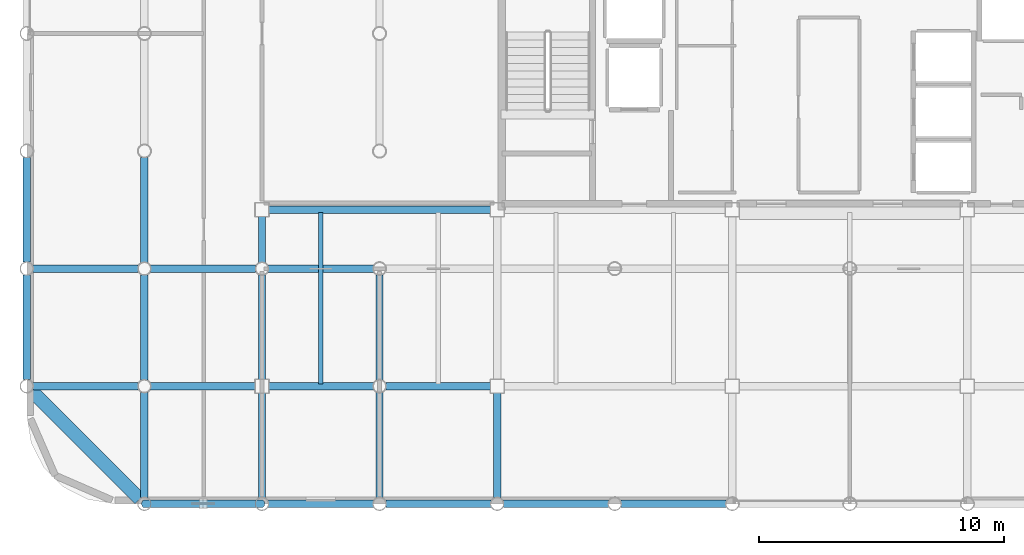
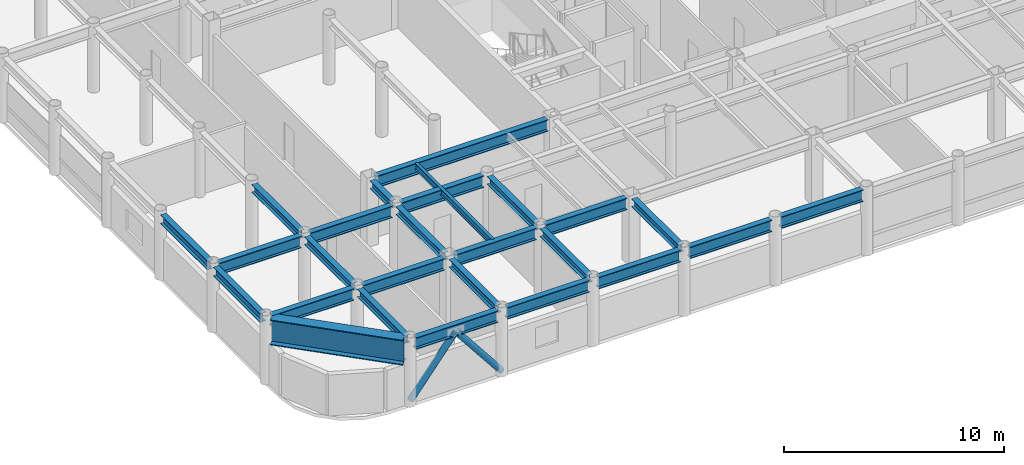
# One storey, part 3 of 21: 26 beams, 2 members.
"""IFC4 building model written with IfcOpenShell, lengths in metres."""

import ifcopenshell
import ifcopenshell.guid

model = None  # the IFC model being written
_history = None  # IfcOwnerHistory: only IFC2X3 demands one
_inside = {}  # id of a spatial element -> (the spatial element, [elements in it])
_under = {}  # id of a project, library or spatial element -> (it, [spatial elements below it])
_declared = {}  # id of a project -> (the project, [libraries it declares])
_typed = {}  # id of a type object -> (the type object, [elements of that type])
_made_of = {}  # id of a material, layer set ... -> (it, [elements and type objects made of it])


def new_model(schema):
    """Start an empty IFC model of exactly this schema.

    Asked for "IFC4X3", IfcOpenShell would pick the latest addendum, in which some entities
    have other attributes; the version numbers below select the first issue.
    IFC2X3 requires an IfcOwnerHistory on every rooted entity: one is made here for all.
    """
    global model, _history
    if schema == "IFC4X3":
        model = ifcopenshell.file(schema_version=(4, 3, 0, 0))
    else:
        model = ifcopenshell.file(schema=schema)
    _inside.clear()
    _under.clear()
    _declared.clear()
    _typed.clear()
    _made_of.clear()
    _history = None
    if model.schema == "IFC2X3":
        org = make("IfcOrganization", Name="unknown")
        user = make(
            "IfcPersonAndOrganization",
            ThePerson=make("IfcPerson", FamilyName="unknown"),
            TheOrganization=org,
        )
        app = make(
            "IfcApplication",
            ApplicationDeveloper=org,
            Version="unknown",
            ApplicationFullName="unknown",
            ApplicationIdentifier="unknown",
        )
        _history = make(
            "IfcOwnerHistory",
            OwningUser=user,
            OwningApplication=app,
            ChangeAction="ADDED",
            CreationDate=0,
        )
    return model


def make(cls, **values):
    """One entity of the class cls with the attributes given. An attribute that is None is left unset."""
    return model.create_entity(
        cls, **{name: value for name, value in values.items() if value is not None}
    )


def rooted(cls, **values):
    """An entity with a GlobalId (a new one), such as an element, a storey or a relation."""
    return make(cls, GlobalId=ifcopenshell.guid.new(), OwnerHistory=_history, **values)


def si_unit(unit_type, name, prefix=None):
    """IfcSIUnit, for example si_unit("LENGTHUNIT", "METRE", prefix="MILLI")."""
    return make("IfcSIUnit", UnitType=unit_type, Prefix=prefix, Name=name)


def assignment(units):
    """IfcUnitAssignment: the units of a project."""
    return None if units is None else make("IfcUnitAssignment", Units=units)


def point(xyz):
    """IfcCartesianPoint."""
    return None if xyz is None else make("IfcCartesianPoint", Coordinates=xyz)


def direction(xyz):
    """IfcDirection."""
    return None if xyz is None else make("IfcDirection", DirectionRatios=xyz)


def frame(location, z_axis=None, x_axis=None):
    """IfcAxis2Placement3D, a coordinate frame: its origin and axes. An axis left out is left unset."""
    return make(
        "IfcAxis2Placement3D",
        Location=point(location),
        Axis=direction(z_axis),
        RefDirection=direction(x_axis),
    )


def frame_2d(location, x_axis=None):
    """IfcAxis2Placement2D, a coordinate frame in the plane: its origin and x axis."""
    return make(
        "IfcAxis2Placement2D", Location=point(location), RefDirection=direction(x_axis)
    )


def origin():
    """The frame at (0, 0, 0) with its axes left unset."""
    return frame((0.0, 0.0, 0.0))


def origin_2d():
    """The frame at (0, 0) in the plane with its x axis left unset."""
    return frame_2d((0.0, 0.0))


def place(relative_to, where):
    """IfcLocalPlacement: puts the frame where relative to a parent placement (None: the world)."""
    return make(
        "IfcLocalPlacement", PlacementRelTo=relative_to, RelativePlacement=where
    )


def context(
    kind, dimensions, precision=None, world=None, true_north=None, identifier=None
):
    """IfcGeometricRepresentationContext, for example the 3D "Model" context."""
    return make(
        "IfcGeometricRepresentationContext",
        ContextIdentifier=identifier,
        ContextType=kind,
        CoordinateSpaceDimension=dimensions,
        Precision=precision,
        WorldCoordinateSystem=world,
        TrueNorth=true_north,
    )


def subcontext(parent, identifier, kind, view, scale=None):
    """IfcGeometricRepresentationSubContext, for example "Body" below "Model"."""
    return make(
        "IfcGeometricRepresentationSubContext",
        ContextIdentifier=identifier,
        ContextType=kind,
        ParentContext=parent,
        TargetScale=scale,
        TargetView=view,
    )


def project(units=None, contexts=None):
    """IfcProject with its units and contexts."""
    return rooted(
        "IfcProject",
        Name="project",
        RepresentationContexts=contexts,
        UnitsInContext=assignment(units),
    )


def spatial(cls, under=None, at=None, **own):
    """A site, building, storey or space (cls), placed at a placement, below another one or the project."""
    s = rooted(cls, ObjectPlacement=at, **own)
    if under is not None:
        _under.setdefault(under.id(), (under, []))[1].append(s)
    return s


def profile(cls, at=None, kind="AREA", **sizes):
    """A parametric profile (cls). Its sizes go by their IFC names, for example OverallWidth=200.0."""
    return make(cls, ProfileType=kind, Position=at, **sizes)


def hollow_circle(**sizes):
    """IfcCircleHollowProfileDef."""
    return profile("IfcCircleHollowProfileDef", **sizes)


def i_section(**sizes):
    """IfcIShapeProfileDef."""
    return profile("IfcIShapeProfileDef", **sizes)


def extrude(swept, where, along, depth):
    """IfcExtrudedAreaSolid: the profile swept, set in the frame where, extruded along a direction by depth."""
    return make(
        "IfcExtrudedAreaSolid",
        SweptArea=swept,
        Position=where,
        ExtrudedDirection=direction(along),
        Depth=depth,
    )


def shape(context_of_items, identifier, shape_type, items):
    """IfcShapeRepresentation: the items that make up one representation, for example the "Body"."""
    return make(
        "IfcShapeRepresentation",
        ContextOfItems=context_of_items,
        RepresentationIdentifier=identifier,
        RepresentationType=shape_type,
        Items=items,
    )


def material(Name=None, Category=None):
    """IfcMaterial."""
    return make("IfcMaterial", Name=Name, Category=Category)


def material_profile(
    of_material, cross_section, Name=None, Category=None, Priority=None
):
    """IfcMaterialProfile: a cross section and its material."""
    return make(
        "IfcMaterialProfile",
        Name=Name,
        Material=of_material,
        Profile=cross_section,
        Priority=Priority,
        Category=Category,
    )


def profile_set(profiles, Name=None, composite=None):
    """IfcMaterialProfileSet."""
    return make(
        "IfcMaterialProfileSet",
        Name=Name,
        MaterialProfiles=profiles,
        CompositeProfile=composite,
    )


def made_of(thing, what):
    """Note that an element or type object is made of a material, layer set ...; save() writes the relation."""
    if what is not None:
        _made_of.setdefault(what.id(), (what, []))[1].append(thing)
    return thing


def type_object(cls, material=None, **own):
    """A type object (cls), such as IfcWallType, which elements share."""
    return made_of(rooted(cls, **own), material)


def element(
    cls,
    number,
    at=None,
    inside=None,
    cuts=None,
    type_object=None,
    material=None,
    context=None,
    identifier="Body",
    shape_type=None,
    held_by="IfcProductDefinitionShape",
    body=None,
    shapes=None,
    **own,
):
    """One element of the class cls, such as IfcWall. Its Tag is "e" and its number.

    at: its placement. inside: the storey or other place that contains it. cuts: it is an
    opening in that element (IfcRelVoidsElement). A single representation is given by context,
    identifier, shape_type and body (its items); several are given by shapes. held_by: the class
    of the entity that holds the representations. save() writes the other relations.
    """
    e = rooted(cls, Tag="e%d" % number, ObjectPlacement=at, **own)
    if body is not None:
        shapes = [shape(context, identifier, shape_type, body)]
    if shapes is not None:
        e.Representation = make(held_by, Representations=shapes)
    if inside is not None:
        _inside.setdefault(inside.id(), (inside, []))[1].append(e)
    if cuts is not None:
        rooted(
            "IfcRelVoidsElement", RelatingBuildingElement=cuts, RelatedOpeningElement=e
        )
    if type_object is not None:
        _typed.setdefault(type_object.id(), (type_object, []))[1].append(e)
    return made_of(e, material)


def aggregate(whole, parts):
    """IfcRelAggregates: a whole, such as a stair, and the parts it consists of."""
    return rooted("IfcRelAggregates", RelatingObject=whole, RelatedObjects=parts)


def save(model, path):
    """Write the relations noted so far, then the file.

    IfcRelAggregates (storeys below a building ...), IfcRelContainedInSpatialStructure (elements
    in a storey), IfcRelDefinesByType, IfcRelAssociatesMaterial and IfcRelDeclares: one each for
    every whole, place, type object, material and project.
    """
    for whole, parts in _under.values():
        aggregate(whole, parts)
    for where, things in _inside.values():
        rooted(
            "IfcRelContainedInSpatialStructure",
            RelatedElements=things,
            RelatingStructure=where,
        )
    for kind, things in _typed.values():
        rooted("IfcRelDefinesByType", RelatedObjects=things, RelatingType=kind)
    for what, things in _made_of.values():
        rooted("IfcRelAssociatesMaterial", RelatedObjects=things, RelatingMaterial=what)
    for by, libraries in _declared.values():
        rooted("IfcRelDeclares", RelatingContext=by, RelatedDefinitions=libraries)
    model.write(path)


model = new_model("IFC4")

# Units and contexts
model_context = context("Model", 3, precision=1e-05, world=origin(), true_north=direction((0.0, 1.0)))
body_context = subcontext(model_context, "Body", "Model", "MODEL_VIEW")
ifc_project = project(units=[si_unit("LENGTHUNIT", "METRE"), si_unit("AREAUNIT", "SQUARE_METRE"), si_unit("VOLUMEUNIT", "CUBIC_METRE"), si_unit("PLANEANGLEUNIT", "RADIAN"), si_unit("MASSUNIT", "GRAM", prefix="KILO")], contexts=[model_context])

# Site, building, storey
site_placement = place(None, origin())
site = spatial("IfcSite", under=ifc_project, at=site_placement, CompositionType="ELEMENT")
building_placement = place(site_placement, origin())
building = spatial("IfcBuilding", under=site, at=building_placement, Name="Kallvorn Hotel Tower", CompositionType="ELEMENT")
storey_placement = place(building_placement, frame((0.0, 0.0, 268.5)))
storey = spatial("IfcBuildingStorey", under=building, at=storey_placement, Name="L67", CompositionType="ELEMENT", Elevation=268.5)

# Beams
ifc_material_1 = material(Name="Structural steel S355JR", Category="steel")
ifc_material_profile_1 = material_profile(ifc_material_1, i_section(OverallWidth=0.300048828125, OverallDepth=0.43994140625, WebThickness=0.011474609375, FlangeThickness=0.02099609375, at=origin_2d()), Name="HE 450 A")
ifc_profile_set_1 = profile_set([ifc_material_profile_1], Name="Structural steel S355JR")
beam_type_1 = type_object("IfcBeamType", Name="BM_HE450A", PredefinedType="BEAM", material=ifc_profile_set_1)
for number, where, z_axis, x_axis, name in (
    (1, (-28.800048828125, -18.945556640625, 3.449951171875), (0.0, 1.0, 0.0), (-1.0, 0.0, 0.0), "L68 Primary Y-Girder 73"),
    (2, (-28.800048828125, -14.1455078125, 3.449951171875), (0.0, 1.0, 0.0), (-1.0, 0.0, 0.0), "L68 Primary Y-Girder 74"),
    (3, (-28.800048828125, -9.345458984375, 3.449951171875), (0.0, 1.0, 0.0), (-1.0, 0.0, 0.0), "L68 Primary Y-Girder 75"),
):
    element("IfcBeam", number, at=place(storey_placement, frame(where, z_axis=z_axis, x_axis=x_axis)), inside=storey, type_object=beam_type_1, Name=name, PredefinedType="BEAM", context=body_context, shape_type="SweptSolid", body=[
        extrude(i_section(OverallWidth=0.300048828125, OverallDepth=0.43994140625, WebThickness=0.011474609375, FlangeThickness=0.02099609375, at=origin_2d()), origin(), (0.0, 0.0, 1.0), 4.291015625),
    ])
for number, where, z_axis, x_axis, name in (
    (4, (-24.0, -18.945556640625, 3.449951171875), (0.0, 1.0, 0.0), (-1.0, 0.0, 0.0), "L68 Primary Y-Girder 82"),
    (5, (-24.0, -14.125, 3.449951171875), (0.0, 1.0, 0.0), (-1.0, 0.0, 0.0), "L68 Primary Y-Girder 83"),
):
    element("IfcBeam", number, at=place(storey_placement, frame(where, z_axis=z_axis, x_axis=x_axis)), inside=storey, type_object=beam_type_1, Name=name, PredefinedType="BEAM", context=body_context, shape_type="SweptSolid", body=[
        extrude(i_section(OverallWidth=0.300048828125, OverallDepth=0.43994140625, WebThickness=0.011474609375, FlangeThickness=0.02099609375, at=origin_2d()), origin(), (0.0, 0.0, 1.0), 4.2705078125),
    ])
beam_1_placement = place(storey_placement, frame((-24.0, -9.345458984375, 3.449951171875), z_axis=(0.0, 1.0, 0.0), x_axis=(-1.0, 0.0, 0.0)))
element("IfcBeam", 6, at=beam_1_placement, inside=storey, type_object=beam_type_1, Name="L68 Primary Y-Girder 84", PredefinedType="BEAM", context=body_context, shape_type="SweptSolid", body=[
    extrude(i_section(OverallWidth=0.300048828125, OverallDepth=0.43994140625, WebThickness=0.011474609375, FlangeThickness=0.02099609375, at=origin_2d()), origin(), (0.0, 0.0, 1.0), 1.870361328125),
])
for number, where, z_axis, x_axis, name in (
    (7, (-19.199951171875, -18.945556640625, 3.449951171875), (0.0, 1.0, 0.0), (-1.0, 0.0, 0.0), "L68 Primary Y-Girder 89"),
    (8, (-19.199951171875, -14.1455078125, 3.449951171875), (0.0, 1.0, 0.0), (-1.0, 0.0, 0.0), "L68 Primary Y-Girder 90"),
):
    element("IfcBeam", number, at=place(storey_placement, frame(where, z_axis=z_axis, x_axis=x_axis)), inside=storey, type_object=beam_type_1, Name=name, PredefinedType="BEAM", context=body_context, shape_type="SweptSolid", body=[
        extrude(i_section(OverallWidth=0.300048828125, OverallDepth=0.43994140625, WebThickness=0.011474609375, FlangeThickness=0.02099609375, at=origin_2d()), origin(), (0.0, 0.0, 1.0), 4.291015625),
    ])
beam_2_placement = place(storey_placement, frame((-14.39990234375, -18.945556640625, 3.449951171875), z_axis=(0.0, 1.0, 0.0), x_axis=(-1.0, 0.0, 0.0)))
element("IfcBeam", 9, at=beam_2_placement, inside=storey, type_object=beam_type_1, Name="L68 Primary Y-Girder 98", PredefinedType="BEAM", context=body_context, shape_type="SweptSolid", body=[
    extrude(i_section(OverallWidth=0.300048828125, OverallDepth=0.43994140625, WebThickness=0.011474609375, FlangeThickness=0.02099609375, at=origin_2d()), origin(), (0.0, 0.0, 1.0), 4.2705078125),
])
ifc_material_2 = material(Name="Structural steel S355JR", Category="steel")
ifc_material_profile_2 = material_profile(ifc_material_2, i_section(OverallWidth=0.300048828125, OverallDepth=0.5, WebThickness=0.014404296875, FlangeThickness=0.028076171875, at=origin_2d()), Name="HE 500 B")
ifc_profile_set_2 = profile_set([ifc_material_profile_2], Name="Structural steel S355JR")
beam_type_2 = type_object("IfcBeamType", Name="BM_HE500B", PredefinedType="SPANDREL", material=ifc_profile_set_2)
beam_3_placement = place(storey_placement, frame((-33.60009765625, -14.130615234375, 3.419921875), z_axis=(0.0, 1.0, 0.0), x_axis=(-1.0, 0.0, 0.0)))
element("IfcBeam", 10, at=beam_3_placement, inside=storey, type_object=beam_type_2, Name="L68 Perimeter Spandrel 174", PredefinedType="SPANDREL", context=body_context, shape_type="SweptSolid", body=[
    extrude(i_section(OverallWidth=0.300048828125, OverallDepth=0.5, WebThickness=0.014404296875, FlangeThickness=0.028076171875, at=origin_2d()), origin(), (0.0, 0.0, 1.0), 4.26123046875),
])
beam_4_placement = place(storey_placement, frame((-33.60009765625, -9.33056640625, 3.419921875), z_axis=(0.0, 1.0, 0.0), x_axis=(-1.0, 0.0, 0.0)))
element("IfcBeam", 11, at=beam_4_placement, inside=storey, type_object=beam_type_2, Name="L68 Perimeter Spandrel 175", PredefinedType="SPANDREL", context=body_context, shape_type="SweptSolid", body=[
    extrude(i_section(OverallWidth=0.300048828125, OverallDepth=0.5, WebThickness=0.014404296875, FlangeThickness=0.028076171875, at=origin_2d()), origin(), (0.0, 0.0, 1.0), 4.260986328125),
])
ifc_material_3 = material(Name="Structural steel S355JR", Category="steel")
ifc_material_profile_3 = material_profile(ifc_material_3, i_section(OverallWidth=0.300048828125, OverallDepth=0.64990234375, WebThickness=0.01611328125, FlangeThickness=0.031005859375, at=origin_2d()), Name="HE 650 B")
ifc_profile_set_3 = profile_set([ifc_material_profile_3], Name="Structural steel S355JR")
beam_type_3 = type_object("IfcBeamType", Name="BM_HE650B", PredefinedType="BEAM", material=ifc_profile_set_3)
for number, where, z_axis, x_axis, name in (
    (12, (-28.54541015625, -19.199951171875, 3.344970703125), (1.0, 0.0, 0.0), (0.0, 1.0, 0.0), "L68 Primary X-Girder 01"),
    (13, (-23.74560546875, -19.199951171875, 3.344970703125), (1.0, 0.0, 0.0), (0.0, 1.0, 0.0), "L68 Primary X-Girder 02"),
    (14, (-18.945556640625, -19.199951171875, 3.344970703125), (1.0, 0.0, 0.0), (0.0, 1.0, 0.0), "L68 Primary X-Girder 03"),
    (15, (-14.1455078125, -19.199951171875, 3.344970703125), (1.0, 0.0, 0.0), (0.0, 1.0, 0.0), "L68 Primary X-Girder 04"),
    (16, (-9.345458984375, -19.199951171875, 3.344970703125), (1.0, 0.0, 0.0), (0.0, 1.0, 0.0), "L68 Primary X-Girder 05"),
    (17, (-33.345458984375, -14.39990234375, 3.344970703125), (1.0, 0.0, 0.0), (0.0, 1.0, 0.0), "L68 Primary X-Girder 13"),
):
    element("IfcBeam", number, at=place(storey_placement, frame(where, z_axis=z_axis, x_axis=x_axis)), inside=storey, type_object=beam_type_3, Name=name, PredefinedType="BEAM", context=body_context, shape_type="SweptSolid", body=[
        extrude(i_section(OverallWidth=0.300048828125, OverallDepth=0.64990234375, WebThickness=0.01611328125, FlangeThickness=0.031005859375, at=origin_2d()), origin(), (0.0, 0.0, 1.0), 4.291015625),
    ])
for number, where, z_axis, x_axis, name in (
    (18, (-28.54541015625, -14.39990234375, 3.344970703125), (1.0, 0.0, 0.0), (0.0, 1.0, 0.0), "L68 Primary X-Girder 14"),
    (19, (-23.72509765625, -14.39990234375, 3.344970703125), (1.0, 0.0, 0.0), (0.0, 1.0, 0.0), "L68 Primary X-Girder 15"),
    (20, (-18.945556640625, -14.39990234375, 3.344970703125), (1.0, 0.0, 0.0), (0.0, 1.0, 0.0), "L68 Primary X-Girder 16"),
):
    element("IfcBeam", number, at=place(storey_placement, frame(where, z_axis=z_axis, x_axis=x_axis)), inside=storey, type_object=beam_type_3, Name=name, PredefinedType="BEAM", context=body_context, shape_type="SweptSolid", body=[
        extrude(i_section(OverallWidth=0.300048828125, OverallDepth=0.64990234375, WebThickness=0.01611328125, FlangeThickness=0.031005859375, at=origin_2d()), origin(), (0.0, 0.0, 1.0), 4.2705078125),
    ])
for number, where, z_axis, x_axis, name in (
    (21, (-33.345458984375, -9.60009765625, 3.344970703125), (1.0, 0.0, 0.0), (0.0, 1.0, 0.0), "L68 Primary X-Girder 23"),
    (22, (-28.54541015625, -9.60009765625, 3.344970703125), (1.0, 0.0, 0.0), (0.0, 1.0, 0.0), "L68 Primary X-Girder 24"),
    (23, (-23.74560546875, -9.60009765625, 3.344970703125), (1.0, 0.0, 0.0), (0.0, 1.0, 0.0), "L68 Primary X-Girder 25"),
):
    element("IfcBeam", number, at=place(storey_placement, frame(where, z_axis=z_axis, x_axis=x_axis)), inside=storey, type_object=beam_type_3, Name=name, PredefinedType="BEAM", context=body_context, shape_type="SweptSolid", body=[
        extrude(i_section(OverallWidth=0.300048828125, OverallDepth=0.64990234375, WebThickness=0.01611328125, FlangeThickness=0.031005859375, at=origin_2d()), origin(), (0.0, 0.0, 1.0), 4.291015625),
    ])
beam_5_placement = place(storey_placement, frame((-23.72509765625, -7.199951171875, 3.344970703125), z_axis=(1.0, 0.0, 0.0), x_axis=(0.0, 1.0, 0.0)))
element("IfcBeam", 24, at=beam_5_placement, inside=storey, type_object=beam_type_3, Name="L68 Primary X-Girder 32", PredefinedType="BEAM", context=body_context, shape_type="SweptSolid", body=[
    extrude(i_section(OverallWidth=0.300048828125, OverallDepth=0.64990234375, WebThickness=0.01611328125, FlangeThickness=0.031005859375, at=origin_2d()), origin(), (0.0, 0.0, 1.0), 9.050048828125),
])
ifc_material_4 = material(Name="Structural steel S355JR", Category="steel")
ifc_material_profile_4 = material_profile(ifc_material_4, i_section(OverallWidth=0.169921875, OverallDepth=0.360107421875, WebThickness=0.008056640625, FlangeThickness=0.0126953125, at=origin_2d()), Name="IPE 360")
ifc_profile_set_4 = profile_set([ifc_material_profile_4], Name="Structural steel S355JR")
beam_type_4 = type_object("IfcBeamType", Name="BM_IPE360", PredefinedType="JOIST", material=ifc_profile_set_4)
beam_6_placement = place(storey_placement, frame((-21.60009765625, -14.300048828125, 3.489990234375), z_axis=(0.0, 1.0, 0.0), x_axis=(-1.0, 0.0, 0.0)))
element("IfcBeam", 25, at=beam_6_placement, inside=storey, type_object=beam_type_4, Name="L68 Secondary Composite Joist 192", PredefinedType="JOIST", context=body_context, shape_type="SweptSolid", body=[
    extrude(i_section(OverallWidth=0.169921875, OverallDepth=0.360107421875, WebThickness=0.008056640625, FlangeThickness=0.0126953125, at=origin_2d()), origin(), (0.0, 0.0, 1.0), 7.0),
])
ifc_material_5 = material(Name="Structural steel S355JR", Category="steel")
ifc_material_profile_5 = material_profile(ifc_material_5, i_section(OverallWidth=0.550048828125, OverallDepth=1.39990234375, WebThickness=0.02490234375, FlangeThickness=0.044921875, at=origin_2d()), Name="PG 1400x550x25x45")
ifc_profile_set_5 = profile_set([ifc_material_profile_5], Name="Structural steel S355JR")
beam_type_5 = type_object("IfcBeamType", Name="BM_PG_1400", PredefinedType="BEAM", material=ifc_profile_set_5)
beam_7_placement = place(storey_placement, frame((-33.409423828125, -14.590576171875, 2.969970703125), z_axis=(0.707106781187, -0.707106781187, 0.0), x_axis=(0.707106781187, 0.707106781187, 0.0)))
element("IfcBeam", 26, at=beam_7_placement, inside=storey, type_object=beam_type_5, Name="L68 Rounded Corner Tie Beam 189", PredefinedType="BEAM", context=body_context, shape_type="SweptSolid", body=[
    extrude(i_section(OverallWidth=0.550048828125, OverallDepth=1.39990234375, WebThickness=0.02490234375, FlangeThickness=0.044921875, at=origin_2d()), origin(), (0.0, 0.0, 1.0), 6.249267578125),
])

# Members
ifc_material_6 = material(Name="Structural steel S355J2H", Category="steel")
ifc_material_profile_6 = material_profile(ifc_material_6, hollow_circle(Radius=0.161865234375, WallThickness=0.012451171875, at=origin_2d()), Name="CHS 323.9x12.5")
ifc_profile_set_6 = profile_set([ifc_material_profile_6], Name="Structural steel S355J2H")
member_type = type_object("IfcMemberType", Name="MBR_EXO_CHS323", PredefinedType="BRACE", material=ifc_profile_set_6)
for number, where, z_axis, x_axis, name in (
    (27, (-28.78759765625, -19.199951171875, 0.19580078125), (0.620928510901, 0.0, 0.783867198159), (0.0, 1.0, 0.0), "L67 Exoskeleton K-Brace S1A"),
    (28, (-24.012451171875, -19.199951171875, 0.19580078125), (-0.620928510901, 0.0, 0.783867198159), (0.0, -1.0, 0.0), "L67 Exoskeleton K-Brace S1B"),
):
    element("IfcMember", number, at=place(storey_placement, frame(where, z_axis=z_axis, x_axis=x_axis)), inside=storey, type_object=member_type, Name=name, PredefinedType="BRACE", context=body_context, shape_type="SweptSolid", body=[
        extrude(hollow_circle(Radius=0.161865234375, WallThickness=0.012451171875, at=origin_2d()), origin(), (0.0, 0.0, 1.0), 3.8251953125),
    ])

save(model, "model.ifc")
